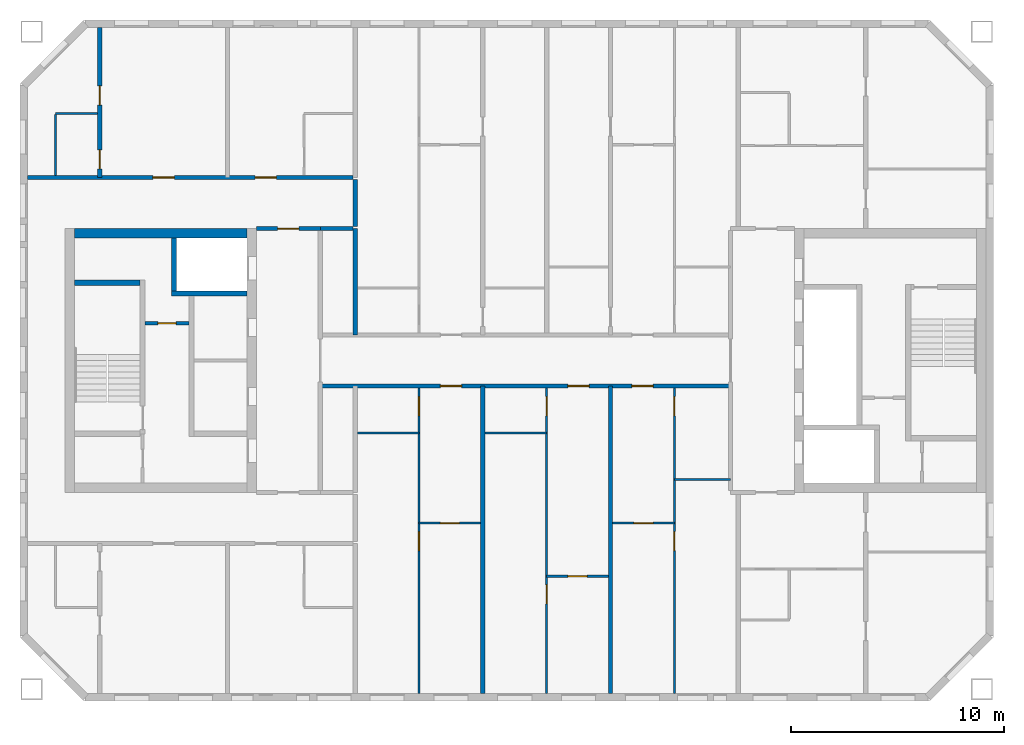
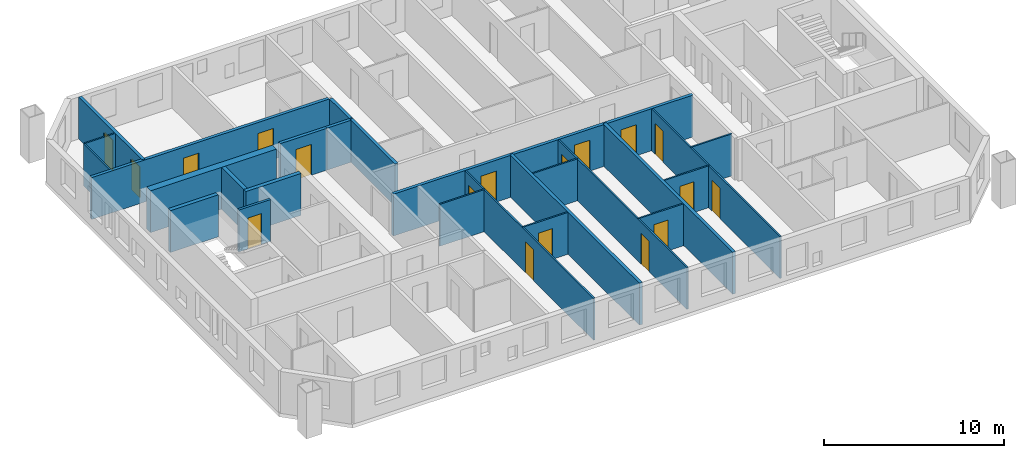
# One storey, part 4 of 16: 25 walls, 18 doors, 18 openings.
"""IFC4 building model written with IfcOpenShell, lengths in metres."""

from ifc_helpers import new_model, si_unit, direction, frame, frame_2d, origin, place, context, subcontext, project, spatial, rectangle, extrude, material, layer, layer_set, type_object, element, fill, save


model = new_model("IFC4")

# Units and contexts
model_context = context("Model", 3, precision=1e-05, world=origin(), true_north=direction((0.0, 1.0)))
body_context = subcontext(model_context, "Body", "Model", "MODEL_VIEW")
ifc_project = project(units=[si_unit("LENGTHUNIT", "METRE"), si_unit("AREAUNIT", "SQUARE_METRE"), si_unit("VOLUMEUNIT", "CUBIC_METRE"), si_unit("PLANEANGLEUNIT", "RADIAN"), si_unit("MASSUNIT", "GRAM", prefix="KILO")], contexts=[model_context])

# Site, building, storey
site_placement = place(None, origin())
site = spatial("IfcSite", under=ifc_project, at=site_placement, CompositionType="ELEMENT")
building_placement = place(site_placement, origin())
building = spatial("IfcBuilding", under=site, at=building_placement, Name="Tuart Gate Housing", CompositionType="ELEMENT")
storey_placement = place(building_placement, frame((0.0, 0.0, 182.0)))
storey = spatial("IfcBuildingStorey", under=building, at=storey_placement, Name="L51", CompositionType="ELEMENT", Elevation=182.0)

# Wall, opening, door
ifc_material_1 = material(Name="Plasterboard partition")
ifc_layer_1 = layer(ifc_material_1, 0.14990234375)
ifc_layer_set_1 = layer_set([ifc_layer_1], Name="Core partition 150")
wall_type_1 = type_object("IfcWallType", Name="Core partition 150", PredefinedType="PARTITIONING", material=ifc_layer_set_1)
wall_1_placement = place(storey_placement, frame((38.18505859375, 71.75, 0.0), z_axis=(0.0, 0.0, 1.0), x_axis=(-1.0, 0.0, 0.0)))
wall_1 = element("IfcWall", 1, at=wall_1_placement, inside=storey, type_object=wall_type_1, Name="Core partition AK.3", PredefinedType="PARTITIONING", context=body_context, shape_type="SweptSolid", body=[
    extrude(rectangle(XDim=2.050048828125, YDim=0.14990234375, at=frame_2d((1.02490234375, 0.0))), origin(), (0.0, 0.0, 1.0), 2.85009765625),
])
opening_1_placement = place(wall_1_placement, frame((0.60009765625, 0.0, 0.0)))
opening_1 = element("IfcOpeningElement", 2, at=opening_1_placement, cuts=wall_1, Name="Opening D1755", PredefinedType="OPENING", context=body_context, shape_type="SweptSolid", body=[
    extrude(rectangle(XDim=0.85009765625, YDim=2.10009765625, at=frame_2d((0.425048828125, 1.050048828125))), frame((0.0, 0.0849609375, 0.0), z_axis=(0.0, -1.0, 0.0), x_axis=(1.0, 0.0, 0.0)), (0.0, 0.0, 1.0), 0.169921875),
])
ifc_material_2 = material(Name="Steel fire door", Category="steel")
door_type_1 = type_object("IfcDoorType", Name="Riser door 850 x 2100 RH", OperationType="SINGLE_SWING_RIGHT", PredefinedType="DOOR", material=ifc_material_2)
door_1_placement = place(opening_1_placement, frame((0.85009765625, 0.0, 0.0), z_axis=(0.0, 0.0, 1.0), x_axis=(-1.0, 0.0, 0.0)))
door_1 = element("IfcDoor", 3, at=door_1_placement, inside=storey, type_object=door_type_1, Name="Service room door AK.E1", OperationType="SINGLE_SWING_RIGHT", OverallHeight=2.10009765625, OverallWidth=0.85009765625, PredefinedType="DOOR", context=body_context, shape_type="SweptSolid", body=[
    extrude(rectangle(XDim=0.85009765625, YDim=2.10009765625, at=frame_2d((0.425048828125, 1.050048828125))), frame((0.0, 0.025146484375, 0.0), z_axis=(0.0, -1.0, 0.0), x_axis=(1.0, 0.0, 0.0)), (0.0, 0.0, 1.0), 0.050048828125),
])
fill(opening_1, door_1)

# Walls
ifc_material_3 = material(Name="Concrete C40", Category="concrete")
ifc_layer_2 = layer(ifc_material_3, 0.25)
ifc_layer_set_2 = layer_set([ifc_layer_2], Name="Core wall 250 C40")
wall_type_2 = type_object("IfcWallType", Name="Core wall 250 C40", PredefinedType="SHEAR", material=ifc_layer_set_2)
wall_2_placement = place(storey_placement, frame((35.885009765625, 73.64990234375, 0.0), z_axis=(0.0, 0.0, 1.0), x_axis=(-1.0, 0.0, 0.0)))
element("IfcWall", 4, at=wall_2_placement, inside=storey, type_object=wall_type_2, Name="Core wall AK.1", PredefinedType="SHEAR", context=body_context, shape_type="SweptSolid", body=[
    extrude(rectangle(XDim=3.074951171875, YDim=0.25, at=frame_2d((1.53759765625, 0.0))), origin(), (0.0, 0.0, 1.0), 2.85009765625),
])
wall_3_placement = place(storey_placement, frame((40.909912109375, 73.14990234375, 0.0), z_axis=(0.0, 0.0, 1.0), x_axis=(-1.0, 0.0, 0.0)))
element("IfcWall", 5, at=wall_3_placement, inside=storey, type_object=wall_type_2, Name="Core wall AK.2", PredefinedType="SHEAR", context=body_context, shape_type="SweptSolid", body=[
    extrude(rectangle(XDim=3.544921875, YDim=0.25, at=frame_2d((1.7724609375, 0.0))), origin(), (0.0, 0.0, 1.0), 2.85009765625),
])
wall_4_placement = place(storey_placement, frame((37.489990234375, 75.75, 0.0), z_axis=(0.0, 0.0, 1.0), x_axis=(0.0, -1.0, 0.0)))
element("IfcWall", 6, at=wall_4_placement, inside=storey, type_object=wall_type_2, Name="Core wall AK.8", PredefinedType="SHEAR", context=body_context, shape_type="SweptSolid", body=[
    extrude(rectangle(XDim=2.47509765625, YDim=0.25, at=frame_2d((1.237548828125, 0.0))), origin(), (0.0, 0.0, 1.0), 2.85009765625),
])
ifc_material_4 = material(Name="Concrete C40", Category="concrete")
ifc_layer_3 = layer(ifc_material_4, 0.449951171875)
ifc_layer_set_3 = layer_set([ifc_layer_3], Name="Core wall 450 C40")
wall_type_3 = type_object("IfcWallType", Name="Core wall 450 C40", PredefinedType="SHEAR", material=ifc_layer_set_3)
wall_5_placement = place(storey_placement, frame((40.909912109375, 75.97509765625, 0.0), z_axis=(0.0, 0.0, 1.0), x_axis=(-1.0, 0.0, 0.0)))
element("IfcWall", 7, at=wall_5_placement, inside=storey, type_object=wall_type_3, Name="Core wall AK south", PredefinedType="SHEAR", context=body_context, shape_type="SweptSolid", body=[
    extrude(rectangle(XDim=8.099853515625, YDim=0.449951171875, at=frame_2d((4.0498046875, 0.0))), origin(), (0.0, 0.0, 1.0), 2.85009765625),
])

# Wall, openings, doors
ifc_material_5 = material(Name="Concrete masonry 15 MPa", Category="masonry")
ifc_layer_4 = layer(ifc_material_5, 0.199951171875)
ifc_layer_set_4 = layer_set([ifc_layer_4], Name="Corridor wall masonry 200")
wall_type_4 = type_object("IfcWallType", Name="Corridor wall masonry 200", PredefinedType="PARTITIONING", material=ifc_layer_set_4)
wall_6_placement = place(storey_placement, frame((44.360107421875, 68.800048828125, 0.0), z_axis=(0.0, 0.0, 1.0), x_axis=(1.0, 0.0, 0.0)))
wall_6 = element("IfcWall", 8, at=wall_6_placement, inside=storey, type_object=wall_type_4, Name="Corridor wall masonry 200", PredefinedType="PARTITIONING", context=body_context, shape_type="SweptSolid", body=[
    extrude(rectangle(XDim=19.27978515625, YDim=0.199951171875, at=frame_2d((9.639892578125, 0.0))), origin(), (0.0, 0.0, 1.0), 2.85009765625),
])
opening_2_placement = place(wall_6_placement, frame((14.639892578125, 0.0, 0.0)))
opening_2 = element("IfcOpeningElement", 9, at=opening_2_placement, cuts=wall_6, Name="Opening D1765", PredefinedType="OPENING", context=body_context, shape_type="SweptSolid", body=[
    extrude(rectangle(XDim=1.0, YDim=2.10009765625, at=frame_2d((0.5, 1.050048828125))), frame((0.0, 0.10986328125, 0.0), z_axis=(0.0, -1.0, 0.0), x_axis=(1.0, 0.0, 0.0)), (0.0, 0.0, 1.0), 0.219970703125),
])
opening_3_placement = place(wall_6_placement, frame((11.639892578125, 0.0, 0.0)))
opening_3 = element("IfcOpeningElement", 10, at=opening_3_placement, cuts=wall_6, Name="Opening D1766", PredefinedType="OPENING", context=body_context, shape_type="SweptSolid", body=[
    extrude(rectangle(XDim=1.0, YDim=2.10009765625, at=frame_2d((0.5, 1.050048828125))), frame((0.0, 0.10986328125, 0.0), z_axis=(0.0, -1.0, 0.0), x_axis=(1.0, 0.0, 0.0)), (0.0, 0.0, 1.0), 0.219970703125),
])
opening_4_placement = place(wall_6_placement, frame((5.639892578125, 0.0, 0.0)))
opening_4 = element("IfcOpeningElement", 11, at=opening_4_placement, cuts=wall_6, Name="Opening D1767", PredefinedType="OPENING", context=body_context, shape_type="SweptSolid", body=[
    extrude(rectangle(XDim=1.0, YDim=2.10009765625, at=frame_2d((0.5, 1.050048828125))), frame((0.0, 0.10986328125, 0.0), z_axis=(0.0, -1.0, 0.0), x_axis=(1.0, 0.0, 0.0)), (0.0, 0.0, 1.0), 0.219970703125),
])
ifc_material_6 = material(Name="Timber door leaf in steel frame", Category="steel")
door_type_2 = type_object("IfcDoorType", Name="Flat entrance door 1000 RH", OperationType="SINGLE_SWING_RIGHT", PredefinedType="DOOR", material=ifc_material_6)
door_2_placement = place(opening_2_placement, frame((1.0, 0.0, 0.0), z_axis=(0.0, 0.0, 1.0), x_axis=(-1.0, 0.0, 0.0)))
door_2 = element("IfcDoor", 12, at=door_2_placement, inside=storey, type_object=door_type_2, Name="Flat entrance door", OperationType="SINGLE_SWING_RIGHT", OverallHeight=2.10009765625, OverallWidth=1.0, PredefinedType="DOOR", context=body_context, shape_type="SweptSolid", body=[
    extrude(rectangle(XDim=1.0, YDim=2.10009765625, at=frame_2d((0.5, 1.050048828125))), frame((0.0, 0.025146484375, 0.0), z_axis=(0.0, -1.0, 0.0), x_axis=(1.0, 0.0, 0.0)), (0.0, 0.0, 1.0), 0.050048828125),
])
fill(opening_2, door_2)
door_3_placement = place(opening_3_placement, frame((1.0, 0.0, 0.0), z_axis=(0.0, 0.0, 1.0), x_axis=(-1.0, 0.0, 0.0)))
door_3 = element("IfcDoor", 13, at=door_3_placement, inside=storey, type_object=door_type_2, Name="Flat entrance door", OperationType="SINGLE_SWING_RIGHT", OverallHeight=2.10009765625, OverallWidth=1.0, PredefinedType="DOOR", context=body_context, shape_type="SweptSolid", body=[
    extrude(rectangle(XDim=1.0, YDim=2.10009765625, at=frame_2d((0.5, 1.050048828125))), frame((0.0, 0.025146484375, 0.0), z_axis=(0.0, -1.0, 0.0), x_axis=(1.0, 0.0, 0.0)), (0.0, 0.0, 1.0), 0.050048828125),
])
fill(opening_3, door_3)
door_4_placement = place(opening_4_placement, frame((1.0, 0.0, 0.0), z_axis=(0.0, 0.0, 1.0), x_axis=(-1.0, 0.0, 0.0)))
door_4 = element("IfcDoor", 14, at=door_4_placement, inside=storey, type_object=door_type_2, Name="Flat entrance door", OperationType="SINGLE_SWING_RIGHT", OverallHeight=2.10009765625, OverallWidth=1.0, PredefinedType="DOOR", context=body_context, shape_type="SweptSolid", body=[
    extrude(rectangle(XDim=1.0, YDim=2.10009765625, at=frame_2d((0.5, 1.050048828125))), frame((0.0, 0.025146484375, 0.0), z_axis=(0.0, -1.0, 0.0), x_axis=(1.0, 0.0, 0.0)), (0.0, 0.0, 1.0), 0.050048828125),
])
fill(opening_4, door_4)

# Wall
wall_7_placement = place(storey_placement, frame((44.360107421875, 76.199951171875, 0.0), z_axis=(0.0, 0.0, 1.0), x_axis=(1.0, 0.0, 0.0)))
element("IfcWall", 15, at=wall_7_placement, inside=storey, type_object=wall_type_4, Name="Corridor wall masonry 200", PredefinedType="PARTITIONING", context=body_context, shape_type="SweptSolid", body=[
    extrude(rectangle(XDim=1.539794921875, YDim=0.199951171875, at=frame_2d((0.77001953125, 0.0))), origin(), (0.0, 0.0, 1.0), 2.85009765625),
])

# Wall, openings, doors
wall_8_placement = place(storey_placement, frame((30.610107421875, 78.60009765625, 0.0), z_axis=(0.0, 0.0, 1.0), x_axis=(1.0, 0.0, 0.0)))
wall_8 = element("IfcWall", 16, at=wall_8_placement, inside=storey, type_object=wall_type_4, Name="Corridor wall masonry 200", PredefinedType="PARTITIONING", context=body_context, shape_type="SweptSolid", body=[
    extrude(rectangle(XDim=15.289794921875, YDim=0.199951171875, at=frame_2d((7.64501953125, 0.0))), origin(), (0.0, 0.0, 1.0), 2.85009765625),
])
opening_5_placement = place(wall_8_placement, frame((10.68994140625, 0.0, 0.0)))
opening_5 = element("IfcOpeningElement", 17, at=opening_5_placement, cuts=wall_8, Name="Opening D1742", PredefinedType="OPENING", context=body_context, shape_type="SweptSolid", body=[
    extrude(rectangle(XDim=1.0, YDim=2.10009765625, at=frame_2d((0.5, 1.050048828125))), frame((0.0, 0.10986328125, 0.0), z_axis=(0.0, -1.0, 0.0), x_axis=(1.0, 0.0, 0.0)), (0.0, 0.0, 1.0), 0.219970703125),
])
opening_6_placement = place(wall_8_placement, frame((5.889892578125, 0.0, 0.0)))
opening_6 = element("IfcOpeningElement", 18, at=opening_6_placement, cuts=wall_8, Name="Opening D1743", PredefinedType="OPENING", context=body_context, shape_type="SweptSolid", body=[
    extrude(rectangle(XDim=1.0, YDim=2.10009765625, at=frame_2d((0.5, 1.050048828125))), frame((0.0, 0.10986328125, 0.0), z_axis=(0.0, -1.0, 0.0), x_axis=(1.0, 0.0, 0.0)), (0.0, 0.0, 1.0), 0.219970703125),
])
ifc_material_7 = material(Name="Timber door leaf in steel frame", Category="steel")
door_type_3 = type_object("IfcDoorType", Name="Flat entrance door 1000", OperationType="SINGLE_SWING_LEFT", PredefinedType="DOOR", material=ifc_material_7)
door_5_placement = place(opening_5_placement, origin())
door_5 = element("IfcDoor", 19, at=door_5_placement, inside=storey, type_object=door_type_3, Name="Flat entrance door", OperationType="SINGLE_SWING_LEFT", OverallHeight=2.10009765625, OverallWidth=1.0, PredefinedType="DOOR", context=body_context, shape_type="SweptSolid", body=[
    extrude(rectangle(XDim=1.0, YDim=2.10009765625, at=frame_2d((0.5, 1.050048828125))), frame((0.0, 0.02490234375, 0.0), z_axis=(0.0, -1.0, 0.0), x_axis=(1.0, 0.0, 0.0)), (0.0, 0.0, 1.0), 0.050048828125),
])
fill(opening_5, door_5)
door_6_placement = place(opening_6_placement, origin())
door_6 = element("IfcDoor", 20, at=door_6_placement, inside=storey, type_object=door_type_3, Name="Flat entrance door", OperationType="SINGLE_SWING_LEFT", OverallHeight=2.10009765625, OverallWidth=1.0, PredefinedType="DOOR", context=body_context, shape_type="SweptSolid", body=[
    extrude(rectangle(XDim=1.0, YDim=2.10009765625, at=frame_2d((0.5, 1.050048828125))), frame((0.0, 0.02490234375, 0.0), z_axis=(0.0, -1.0, 0.0), x_axis=(1.0, 0.0, 0.0)), (0.0, 0.0, 1.0), 0.050048828125),
])
fill(opening_6, door_6)

# Wall
wall_9_placement = place(storey_placement, frame((46.0, 76.300048828125, 0.0), z_axis=(0.0, 0.0, 1.0), x_axis=(0.0, 1.0, 0.0)))
element("IfcWall", 21, at=wall_9_placement, inside=storey, type_object=wall_type_4, Name="Corridor wall masonry 200", PredefinedType="PARTITIONING", context=body_context, shape_type="SweptSolid", body=[
    extrude(rectangle(XDim=2.199951171875, YDim=0.199951171875, at=frame_2d((1.10009765625, 0.0))), origin(), (0.0, 0.0, 1.0), 2.85009765625),
])

# Wall, opening, door
ifc_material_8 = material(Name="Concrete masonry 15 MPa", Category="masonry")
ifc_layer_5 = layer(ifc_material_8, 0.199951171875)
ifc_layer_set_5 = layer_set([ifc_layer_5], Name="Enclosure wall masonry 200")
wall_type_5 = type_object("IfcWallType", Name="Enclosure wall masonry 200", PredefinedType="PARTITIONING", material=ifc_layer_set_5)
wall_10_placement = place(storey_placement, frame((41.360107421875, 76.199951171875, 0.0), z_axis=(0.0, 0.0, 1.0), x_axis=(1.0, 0.0, 0.0)))
wall_10 = element("IfcWall", 22, at=wall_10_placement, inside=storey, type_object=wall_type_5, Name="Enclosure wall masonry 200", PredefinedType="PARTITIONING", context=body_context, shape_type="SweptSolid", body=[
    extrude(rectangle(XDim=3.0, YDim=0.199951171875, at=frame_2d((1.5, 0.0))), origin(), (0.0, 0.0, 1.0), 2.85009765625),
])
opening_7_placement = place(wall_10_placement, frame((1.0, 0.0, 0.0)))
opening_7 = element("IfcOpeningElement", 23, at=opening_7_placement, cuts=wall_10, Name="Opening D1752", PredefinedType="OPENING", context=body_context, shape_type="SweptSolid", body=[
    extrude(rectangle(XDim=1.0, YDim=2.10009765625, at=frame_2d((0.5, 1.050048828125))), frame((0.0, 0.10986328125, 0.0), z_axis=(0.0, -1.0, 0.0), x_axis=(1.0, 0.0, 0.0)), (0.0, 0.0, 1.0), 0.219970703125),
])
ifc_material_9 = material(Name="Timber door leaf in steel frame", Category="steel")
door_type_4 = type_object("IfcDoorType", Name="Fire door 1000 RH", OperationType="SINGLE_SWING_RIGHT", PredefinedType="DOOR", material=ifc_material_9)
door_7_placement = place(opening_7_placement, origin())
door_7 = element("IfcDoor", 24, at=door_7_placement, inside=storey, type_object=door_type_4, Name="Fire door", OperationType="SINGLE_SWING_RIGHT", OverallHeight=2.10009765625, OverallWidth=1.0, PredefinedType="DOOR", context=body_context, shape_type="SweptSolid", body=[
    extrude(rectangle(XDim=1.0, YDim=2.10009765625, at=frame_2d((0.5, 1.050048828125))), frame((0.0, 0.02490234375, 0.0), z_axis=(0.0, -1.0, 0.0), x_axis=(1.0, 0.0, 0.0)), (0.0, 0.0, 1.0), 0.050048828125),
])
fill(opening_7, door_7)

ifc_material_10 = material(Name="Gypsum board on steel studs", Category="steel")
ifc_layer_6 = layer(ifc_material_10, 0.10009765625)
ifc_layer_set_6 = layer_set([ifc_layer_6], Name="Partition 100")
wall_type_6 = type_object("IfcWallType", Name="Partition 100", PredefinedType="PARTITIONING", material=ifc_layer_set_6)
wall_11_placement = place(storey_placement, frame((55.0, 59.860107421875, 0.0), z_axis=(0.0, 0.0, 1.0), x_axis=(1.0, 0.0, 0.0)))
wall_11 = element("IfcWall", 25, at=wall_11_placement, inside=storey, type_object=wall_type_6, Name="Partition 100", PredefinedType="PARTITIONING", context=body_context, shape_type="SweptSolid", body=[
    extrude(rectangle(XDim=2.89990234375, YDim=0.10009765625, at=frame_2d((1.449951171875, 0.0))), origin(), (0.0, 0.0, 1.0), 2.85009765625),
])
opening_8_placement = place(wall_11_placement, frame((1.0, 0.0, 0.0)))
opening_8 = element("IfcOpeningElement", 26, at=opening_8_placement, cuts=wall_11, Name="Opening D1786", PredefinedType="OPENING", context=body_context, shape_type="SweptSolid", body=[
    extrude(rectangle(XDim=0.89990234375, YDim=2.10009765625, at=frame_2d((0.449951171875, 1.050048828125))), frame((0.0, 0.06005859375, 0.0), z_axis=(0.0, -1.0, 0.0), x_axis=(1.0, 0.0, 0.0)), (0.0, 0.0, 1.0), 0.1201171875),
])
ifc_material_11 = material(Name="Timber door leaf in steel frame", Category="steel")
door_type_5 = type_object("IfcDoorType", Name="Internal door 900", OperationType="SINGLE_SWING_LEFT", PredefinedType="DOOR", material=ifc_material_11)
door_8_placement = place(opening_8_placement, origin())
door_8 = element("IfcDoor", 27, at=door_8_placement, inside=storey, type_object=door_type_5, Name="Internal door", OperationType="SINGLE_SWING_LEFT", OverallHeight=2.10009765625, OverallWidth=0.89990234375, PredefinedType="DOOR", context=body_context, shape_type="SweptSolid", body=[
    extrude(rectangle(XDim=0.89990234375, YDim=2.10009765625, at=frame_2d((0.449951171875, 1.050048828125))), frame((0.0, 0.02490234375, 0.0), z_axis=(0.0, -1.0, 0.0), x_axis=(1.0, 0.0, 0.0)), (0.0, 0.0, 1.0), 0.050048828125),
])
fill(opening_8, door_8)

wall_12_placement = place(storey_placement, frame((49.0, 62.360107421875, 0.0), z_axis=(0.0, 0.0, 1.0), x_axis=(1.0, 0.0, 0.0)))
wall_12 = element("IfcWall", 28, at=wall_12_placement, inside=storey, type_object=wall_type_6, Name="Partition 100", PredefinedType="PARTITIONING", context=body_context, shape_type="SweptSolid", body=[
    extrude(rectangle(XDim=2.89990234375, YDim=0.10009765625, at=frame_2d((1.449951171875, 0.0))), origin(), (0.0, 0.0, 1.0), 2.85009765625),
])
opening_9_placement = place(wall_12_placement, frame((1.0, 0.0, 0.0)))
opening_9 = element("IfcOpeningElement", 29, at=opening_9_placement, cuts=wall_12, Name="Opening D1773", PredefinedType="OPENING", context=body_context, shape_type="SweptSolid", body=[
    extrude(rectangle(XDim=0.89990234375, YDim=2.10009765625, at=frame_2d((0.449951171875, 1.050048828125))), frame((0.0, 0.06005859375, 0.0), z_axis=(0.0, -1.0, 0.0), x_axis=(1.0, 0.0, 0.0)), (0.0, 0.0, 1.0), 0.1201171875),
])
door_9_placement = place(opening_9_placement, origin())
door_9 = element("IfcDoor", 30, at=door_9_placement, inside=storey, type_object=door_type_5, Name="Internal door", OperationType="SINGLE_SWING_LEFT", OverallHeight=2.10009765625, OverallWidth=0.89990234375, PredefinedType="DOOR", context=body_context, shape_type="SweptSolid", body=[
    extrude(rectangle(XDim=0.89990234375, YDim=2.10009765625, at=frame_2d((0.449951171875, 1.050048828125))), frame((0.0, 0.02490234375, 0.0), z_axis=(0.0, -1.0, 0.0), x_axis=(1.0, 0.0, 0.0)), (0.0, 0.0, 1.0), 0.050048828125),
])
fill(opening_9, door_9)

wall_13_placement = place(storey_placement, frame((58.10009765625, 62.360107421875, 0.0), z_axis=(0.0, 0.0, 1.0), x_axis=(1.0, 0.0, 0.0)))
wall_13 = element("IfcWall", 31, at=wall_13_placement, inside=storey, type_object=wall_type_6, Name="Partition 100", PredefinedType="PARTITIONING", context=body_context, shape_type="SweptSolid", body=[
    extrude(rectangle(XDim=2.89990234375, YDim=0.10009765625, at=frame_2d((1.449951171875, 0.0))), origin(), (0.0, 0.0, 1.0), 2.85009765625),
])
opening_10_placement = place(wall_13_placement, frame((1.0, 0.0, 0.0)))
opening_10 = element("IfcOpeningElement", 32, at=opening_10_placement, cuts=wall_13, Name="Opening D1774", PredefinedType="OPENING", context=body_context, shape_type="SweptSolid", body=[
    extrude(rectangle(XDim=0.89990234375, YDim=2.10009765625, at=frame_2d((0.449951171875, 1.050048828125))), frame((0.0, 0.06005859375, 0.0), z_axis=(0.0, -1.0, 0.0), x_axis=(1.0, 0.0, 0.0)), (0.0, 0.0, 1.0), 0.1201171875),
])
ifc_material_12 = material(Name="Timber door leaf in steel frame", Category="steel")
door_type_6 = type_object("IfcDoorType", Name="Internal door 900 RH", OperationType="SINGLE_SWING_RIGHT", PredefinedType="DOOR", material=ifc_material_12)
door_10_placement = place(opening_10_placement, origin())
door_10 = element("IfcDoor", 33, at=door_10_placement, inside=storey, type_object=door_type_6, Name="Internal door", OperationType="SINGLE_SWING_RIGHT", OverallHeight=2.10009765625, OverallWidth=0.89990234375, PredefinedType="DOOR", context=body_context, shape_type="SweptSolid", body=[
    extrude(rectangle(XDim=0.89990234375, YDim=2.10009765625, at=frame_2d((0.449951171875, 1.050048828125))), frame((0.0, 0.02490234375, 0.0), z_axis=(0.0, -1.0, 0.0), x_axis=(1.0, 0.0, 0.0)), (0.0, 0.0, 1.0), 0.050048828125),
])
fill(opening_10, door_10)

# Walls
wall_14_placement = place(storey_placement, frame((61.0, 64.39990234375, 0.0), z_axis=(0.0, 0.0, 1.0), x_axis=(1.0, 0.0, 0.0)))
element("IfcWall", 34, at=wall_14_placement, inside=storey, type_object=wall_type_6, Name="Partition 100", PredefinedType="PARTITIONING", context=body_context, shape_type="SweptSolid", body=[
    extrude(rectangle(XDim=2.639892578125, YDim=0.10009765625, at=frame_2d((1.31982421875, 0.0))), origin(), (0.0, 0.0, 1.0), 2.85009765625),
])
for number, where, z_axis, x_axis, name in (
    (35, (46.10009765625, 66.60009765625, 0.0), (0.0, 0.0, 1.0), (1.0, 0.0, 0.0), "Partition 100"),
    (36, (52.10009765625, 66.60009765625, 0.0), (0.0, 0.0, 1.0), (1.0, 0.0, 0.0), "Partition 100"),
):
    element("IfcWall", number, at=place(storey_placement, frame(where, z_axis=z_axis, x_axis=x_axis)), inside=storey, type_object=wall_type_6, Name=name, PredefinedType="PARTITIONING", context=body_context, shape_type="SweptSolid", body=[
        extrude(rectangle(XDim=2.89990234375, YDim=0.10009765625, at=frame_2d((1.449951171875, 0.0))), origin(), (0.0, 0.0, 1.0), 2.85009765625),
    ])
wall_15_placement = place(storey_placement, frame((31.909912109375, 81.60009765625, 0.0), z_axis=(0.0, 0.0, 1.0), x_axis=(1.0, 0.0, 0.0)))
element("IfcWall", 37, at=wall_15_placement, inside=storey, type_object=wall_type_6, Name="Partition 100", PredefinedType="PARTITIONING", context=body_context, shape_type="SweptSolid", body=[
    extrude(rectangle(XDim=1.989990234375, YDim=0.10009765625, at=frame_2d((0.9951171875, 0.0))), origin(), (0.0, 0.0, 1.0), 2.85009765625),
])
wall_16_placement = place(storey_placement, frame((31.909912109375, 78.699951171875, 0.0), z_axis=(0.0, 0.0, 1.0), x_axis=(0.0, 1.0, 0.0)))
element("IfcWall", 38, at=wall_16_placement, inside=storey, type_object=wall_type_6, Name="Partition 100", PredefinedType="PARTITIONING", context=body_context, shape_type="SweptSolid", body=[
    extrude(rectangle(XDim=2.85009765625, YDim=0.10009765625, at=frame_2d((1.425048828125, 0.0))), origin(), (0.0, 0.0, 1.0), 2.85009765625),
])

# Wall, openings, doors
wall_17_placement = place(storey_placement, frame((49.0, 54.360107421875, 0.0), z_axis=(0.0, 0.0, 1.0), x_axis=(0.0, 1.0, 0.0)))
wall_17 = element("IfcWall", 39, at=wall_17_placement, inside=storey, type_object=wall_type_6, Name="Partition 100", PredefinedType="PARTITIONING", context=body_context, shape_type="SweptSolid", body=[
    extrude(rectangle(XDim=14.33984375, YDim=0.10009765625, at=frame_2d((7.169921875, 0.0))), origin(), (0.0, 0.0, 1.0), 2.85009765625),
])
opening_11_placement = place(wall_17_placement, frame((6.699951171875, 0.0, 0.0)))
opening_11 = element("IfcOpeningElement", 40, at=opening_11_placement, cuts=wall_17, Name="Opening D1776", PredefinedType="OPENING", context=body_context, shape_type="SweptSolid", body=[
    extrude(rectangle(XDim=0.89990234375, YDim=2.10009765625, at=frame_2d((0.449951171875, 1.050048828125))), frame((0.0, 0.06005859375, 0.0), z_axis=(0.0, -1.0, 0.0), x_axis=(1.0, 0.0, 0.0)), (0.0, 0.0, 1.0), 0.1201171875),
])
opening_12_placement = place(wall_17_placement, frame((13.0400390625, 0.0, 0.0)))
opening_12 = element("IfcOpeningElement", 41, at=opening_12_placement, cuts=wall_17, Name="Opening D1775", PredefinedType="OPENING", context=body_context, shape_type="SweptSolid", body=[
    extrude(rectangle(XDim=0.89990234375, YDim=2.10009765625, at=frame_2d((0.449951171875, 1.050048828125))), frame((0.0, 0.06005859375, 0.0), z_axis=(0.0, -1.0, 0.0), x_axis=(1.0, 0.0, 0.0)), (0.0, 0.0, 1.0), 0.1201171875),
])
ifc_material_13 = material(Name="Timber door leaf in steel frame", Category="steel")
door_type_7 = type_object("IfcDoorType", Name="Bathroom door 900 RH", OperationType="SINGLE_SWING_RIGHT", PredefinedType="DOOR", material=ifc_material_13)
door_11_placement = place(opening_12_placement, origin())
door_11 = element("IfcDoor", 42, at=door_11_placement, inside=storey, type_object=door_type_7, Name="Bathroom door", OperationType="SINGLE_SWING_RIGHT", OverallHeight=2.10009765625, OverallWidth=0.89990234375, PredefinedType="DOOR", context=body_context, shape_type="SweptSolid", body=[
    extrude(rectangle(XDim=0.89990234375, YDim=2.10009765625, at=frame_2d((0.449951171875, 1.050048828125))), frame((0.0, 0.02490234375, 0.0), z_axis=(0.0, -1.0, 0.0), x_axis=(1.0, 0.0, 0.0)), (0.0, 0.0, 1.0), 0.050048828125),
])
fill(opening_12, door_11)
door_12_placement = place(opening_11_placement, origin())
door_12 = element("IfcDoor", 43, at=door_12_placement, inside=storey, type_object=door_type_6, Name="Internal door", OperationType="SINGLE_SWING_RIGHT", OverallHeight=2.10009765625, OverallWidth=0.89990234375, PredefinedType="DOOR", context=body_context, shape_type="SweptSolid", body=[
    extrude(rectangle(XDim=0.89990234375, YDim=2.10009765625, at=frame_2d((0.449951171875, 1.050048828125))), frame((0.0, 0.02490234375, 0.0), z_axis=(0.0, -1.0, 0.0), x_axis=(1.0, 0.0, 0.0)), (0.0, 0.0, 1.0), 0.050048828125),
])
fill(opening_11, door_12)

wall_18_placement = place(storey_placement, frame((55.0, 54.360107421875, 0.0), z_axis=(0.0, 0.0, 1.0), x_axis=(0.0, 1.0, 0.0)))
wall_18 = element("IfcWall", 44, at=wall_18_placement, inside=storey, type_object=wall_type_6, Name="Partition 100", PredefinedType="PARTITIONING", context=body_context, shape_type="SweptSolid", body=[
    extrude(rectangle(XDim=14.33984375, YDim=0.10009765625, at=frame_2d((7.169921875, 0.0))), origin(), (0.0, 0.0, 1.0), 2.85009765625),
])
opening_13_placement = place(wall_18_placement, frame((4.199951171875, 0.0, 0.0)))
opening_13 = element("IfcOpeningElement", 45, at=opening_13_placement, cuts=wall_18, Name="Opening D1778", PredefinedType="OPENING", context=body_context, shape_type="SweptSolid", body=[
    extrude(rectangle(XDim=0.89990234375, YDim=2.10009765625, at=frame_2d((0.449951171875, 1.050048828125))), frame((0.0, 0.06005859375, 0.0), z_axis=(0.0, -1.0, 0.0), x_axis=(1.0, 0.0, 0.0)), (0.0, 0.0, 1.0), 0.1201171875),
])
opening_14_placement = place(wall_18_placement, frame((13.0400390625, 0.0, 0.0)))
opening_14 = element("IfcOpeningElement", 46, at=opening_14_placement, cuts=wall_18, Name="Opening D1777", PredefinedType="OPENING", context=body_context, shape_type="SweptSolid", body=[
    extrude(rectangle(XDim=0.89990234375, YDim=2.10009765625, at=frame_2d((0.449951171875, 1.050048828125))), frame((0.0, 0.06005859375, 0.0), z_axis=(0.0, -1.0, 0.0), x_axis=(1.0, 0.0, 0.0)), (0.0, 0.0, 1.0), 0.1201171875),
])
door_13_placement = place(opening_14_placement, origin())
door_13 = element("IfcDoor", 47, at=door_13_placement, inside=storey, type_object=door_type_7, Name="Bathroom door", OperationType="SINGLE_SWING_RIGHT", OverallHeight=2.10009765625, OverallWidth=0.89990234375, PredefinedType="DOOR", context=body_context, shape_type="SweptSolid", body=[
    extrude(rectangle(XDim=0.89990234375, YDim=2.10009765625, at=frame_2d((0.449951171875, 1.050048828125))), frame((0.0, 0.02490234375, 0.0), z_axis=(0.0, -1.0, 0.0), x_axis=(1.0, 0.0, 0.0)), (0.0, 0.0, 1.0), 0.050048828125),
])
fill(opening_14, door_13)
door_14_placement = place(opening_13_placement, origin())
door_14 = element("IfcDoor", 48, at=door_14_placement, inside=storey, type_object=door_type_5, Name="Internal door", OperationType="SINGLE_SWING_LEFT", OverallHeight=2.10009765625, OverallWidth=0.89990234375, PredefinedType="DOOR", context=body_context, shape_type="SweptSolid", body=[
    extrude(rectangle(XDim=0.89990234375, YDim=2.10009765625, at=frame_2d((0.449951171875, 1.050048828125))), frame((0.0, 0.02490234375, 0.0), z_axis=(0.0, -1.0, 0.0), x_axis=(1.0, 0.0, 0.0)), (0.0, 0.0, 1.0), 0.050048828125),
])
fill(opening_13, door_14)

wall_19_placement = place(storey_placement, frame((61.0, 54.360107421875, 0.0), z_axis=(0.0, 0.0, 1.0), x_axis=(0.0, 1.0, 0.0)))
wall_19 = element("IfcWall", 49, at=wall_19_placement, inside=storey, type_object=wall_type_6, Name="Partition 100", PredefinedType="PARTITIONING", context=body_context, shape_type="SweptSolid", body=[
    extrude(rectangle(XDim=14.33984375, YDim=0.10009765625, at=frame_2d((7.169921875, 0.0))), origin(), (0.0, 0.0, 1.0), 2.85009765625),
])
opening_15_placement = place(wall_19_placement, frame((6.699951171875, 0.0, 0.0)))
opening_15 = element("IfcOpeningElement", 50, at=opening_15_placement, cuts=wall_19, Name="Opening D1780", PredefinedType="OPENING", context=body_context, shape_type="SweptSolid", body=[
    extrude(rectangle(XDim=0.89990234375, YDim=2.10009765625, at=frame_2d((0.449951171875, 1.050048828125))), frame((0.0, 0.06005859375, 0.0), z_axis=(0.0, -1.0, 0.0), x_axis=(1.0, 0.0, 0.0)), (0.0, 0.0, 1.0), 0.1201171875),
])
opening_16_placement = place(wall_19_placement, frame((13.0400390625, 0.0, 0.0)))
opening_16 = element("IfcOpeningElement", 51, at=opening_16_placement, cuts=wall_19, Name="Opening D1779", PredefinedType="OPENING", context=body_context, shape_type="SweptSolid", body=[
    extrude(rectangle(XDim=0.89990234375, YDim=2.10009765625, at=frame_2d((0.449951171875, 1.050048828125))), frame((0.0, 0.06005859375, 0.0), z_axis=(0.0, -1.0, 0.0), x_axis=(1.0, 0.0, 0.0)), (0.0, 0.0, 1.0), 0.1201171875),
])
ifc_material_14 = material(Name="Timber door leaf in steel frame", Category="steel")
door_type_8 = type_object("IfcDoorType", Name="Bathroom door 900", OperationType="SINGLE_SWING_LEFT", PredefinedType="DOOR", material=ifc_material_14)
door_15_placement = place(opening_16_placement, frame((0.89990234375, 0.0, 0.0), z_axis=(0.0, 0.0, 1.0), x_axis=(-1.0, 0.0, 0.0)))
door_15 = element("IfcDoor", 52, at=door_15_placement, inside=storey, type_object=door_type_8, Name="Bathroom door", OperationType="SINGLE_SWING_LEFT", OverallHeight=2.10009765625, OverallWidth=0.89990234375, PredefinedType="DOOR", context=body_context, shape_type="SweptSolid", body=[
    extrude(rectangle(XDim=0.89990234375, YDim=2.10009765625, at=frame_2d((0.449951171875, 1.050048828125))), frame((0.0, 0.025146484375, 0.0), z_axis=(0.0, -1.0, 0.0), x_axis=(1.0, 0.0, 0.0)), (0.0, 0.0, 1.0), 0.050048828125),
])
fill(opening_16, door_15)
door_16_placement = place(opening_15_placement, frame((0.89990234375, 0.0, 0.0), z_axis=(0.0, 0.0, 1.0), x_axis=(-1.0, 0.0, 0.0)))
door_16 = element("IfcDoor", 53, at=door_16_placement, inside=storey, type_object=door_type_5, Name="Internal door", OperationType="SINGLE_SWING_LEFT", OverallHeight=2.10009765625, OverallWidth=0.89990234375, PredefinedType="DOOR", context=body_context, shape_type="SweptSolid", body=[
    extrude(rectangle(XDim=0.89990234375, YDim=2.10009765625, at=frame_2d((0.449951171875, 1.050048828125))), frame((0.0, 0.025146484375, 0.0), z_axis=(0.0, -1.0, 0.0), x_axis=(1.0, 0.0, 0.0)), (0.0, 0.0, 1.0), 0.050048828125),
])
fill(opening_15, door_16)

ifc_material_15 = material(Name="Concrete C40", Category="concrete")
ifc_layer_7 = layer(ifc_material_15, 0.199951171875)
ifc_layer_set_7 = layer_set([ifc_layer_7], Name="Party wall concrete C40 200")
wall_type_7 = type_object("IfcWallType", Name="Party wall concrete C40 200", PredefinedType="SOLIDWALL", material=ifc_layer_set_7)
wall_20_placement = place(storey_placement, frame((34.0, 78.60009765625, 0.0), z_axis=(0.0, 0.0, 1.0), x_axis=(0.0, 1.0, 0.0)))
wall_20 = element("IfcWall", 54, at=wall_20_placement, inside=storey, type_object=wall_type_7, Name="Party wall concrete C40 200", PredefinedType="SOLIDWALL", context=body_context, shape_type="SweptSolid", body=[
    extrude(rectangle(XDim=7.039794921875, YDim=0.199951171875, at=frame_2d((3.52001953125, 0.0))), origin(), (0.0, 0.0, 1.0), 2.85009765625),
])
opening_17_placement = place(wall_20_placement, frame((3.39990234375, 0.0, 0.0)))
opening_17 = element("IfcOpeningElement", 55, at=opening_17_placement, cuts=wall_20, Name="Opening D1734", PredefinedType="OPENING", context=body_context, shape_type="SweptSolid", body=[
    extrude(rectangle(XDim=0.89990234375, YDim=2.10009765625, at=frame_2d((0.449951171875, 1.050048828125))), frame((0.0, 0.10986328125, 0.0), z_axis=(0.0, -1.0, 0.0), x_axis=(1.0, 0.0, 0.0)), (0.0, 0.0, 1.0), 0.219970703125),
])
opening_18_placement = place(wall_20_placement, frame((0.39990234375, 0.0, 0.0)))
opening_18 = element("IfcOpeningElement", 56, at=opening_18_placement, cuts=wall_20, Name="Opening D1733", PredefinedType="OPENING", context=body_context, shape_type="SweptSolid", body=[
    extrude(rectangle(XDim=0.89990234375, YDim=2.10009765625, at=frame_2d((0.449951171875, 1.050048828125))), frame((0.0, 0.10986328125, 0.0), z_axis=(0.0, -1.0, 0.0), x_axis=(1.0, 0.0, 0.0)), (0.0, 0.0, 1.0), 0.219970703125),
])
door_17_placement = place(opening_18_placement, origin())
door_17 = element("IfcDoor", 57, at=door_17_placement, inside=storey, type_object=door_type_8, Name="Bathroom door", OperationType="SINGLE_SWING_LEFT", OverallHeight=2.10009765625, OverallWidth=0.89990234375, PredefinedType="DOOR", context=body_context, shape_type="SweptSolid", body=[
    extrude(rectangle(XDim=0.89990234375, YDim=2.10009765625, at=frame_2d((0.449951171875, 1.050048828125))), frame((0.0, 0.02490234375, 0.0), z_axis=(0.0, -1.0, 0.0), x_axis=(1.0, 0.0, 0.0)), (0.0, 0.0, 1.0), 0.050048828125),
])
fill(opening_18, door_17)
door_18_placement = place(opening_17_placement, origin())
door_18 = element("IfcDoor", 58, at=door_18_placement, inside=storey, type_object=door_type_5, Name="Internal door", OperationType="SINGLE_SWING_LEFT", OverallHeight=2.10009765625, OverallWidth=0.89990234375, PredefinedType="DOOR", context=body_context, shape_type="SweptSolid", body=[
    extrude(rectangle(XDim=0.89990234375, YDim=2.10009765625, at=frame_2d((0.449951171875, 1.050048828125))), frame((0.0, 0.02490234375, 0.0), z_axis=(0.0, -1.0, 0.0), x_axis=(1.0, 0.0, 0.0)), (0.0, 0.0, 1.0), 0.050048828125),
])
fill(opening_17, door_18)

# Walls
wall_21_placement = place(storey_placement, frame((46.0, 71.199951171875, 0.0), z_axis=(0.0, 0.0, 1.0), x_axis=(0.0, 1.0, 0.0)))
element("IfcWall", 59, at=wall_21_placement, inside=storey, type_object=wall_type_7, Name="Party wall concrete C40 200", PredefinedType="SOLIDWALL", context=body_context, shape_type="SweptSolid", body=[
    extrude(rectangle(XDim=5.0, YDim=0.199951171875, at=frame_2d((2.5, 0.0))), origin(), (0.0, 0.0, 1.0), 2.85009765625),
])
for number, where, z_axis, x_axis, name in (
    (60, (52.0, 54.360107421875, 0.0), (0.0, 0.0, 1.0), (0.0, 1.0, 0.0), "Party wall concrete C40 200"),
    (61, (58.0, 54.360107421875, 0.0), (0.0, 0.0, 1.0), (0.0, 1.0, 0.0), "Party wall concrete C40 200"),
):
    element("IfcWall", number, at=place(storey_placement, frame(where, z_axis=z_axis, x_axis=x_axis)), inside=storey, type_object=wall_type_7, Name=name, PredefinedType="SOLIDWALL", context=body_context, shape_type="SweptSolid", body=[
        extrude(rectangle(XDim=14.43994140625, YDim=0.199951171875, at=frame_2d((7.219970703125, 0.0))), origin(), (0.0, 0.0, 1.0), 2.85009765625),
    ])

save(model, "model.ifc")
